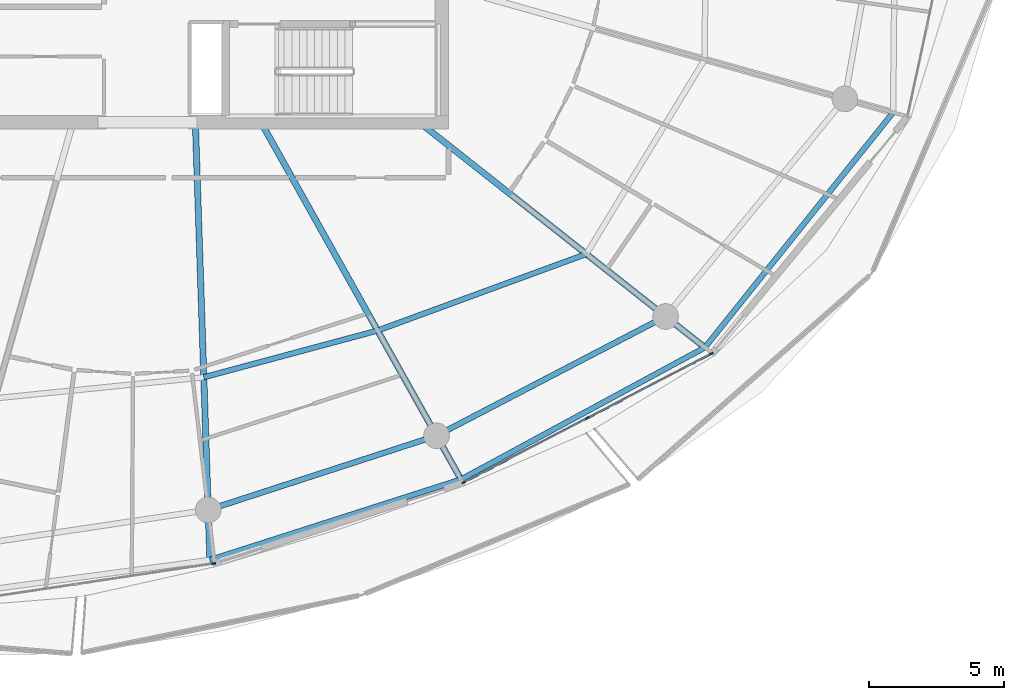
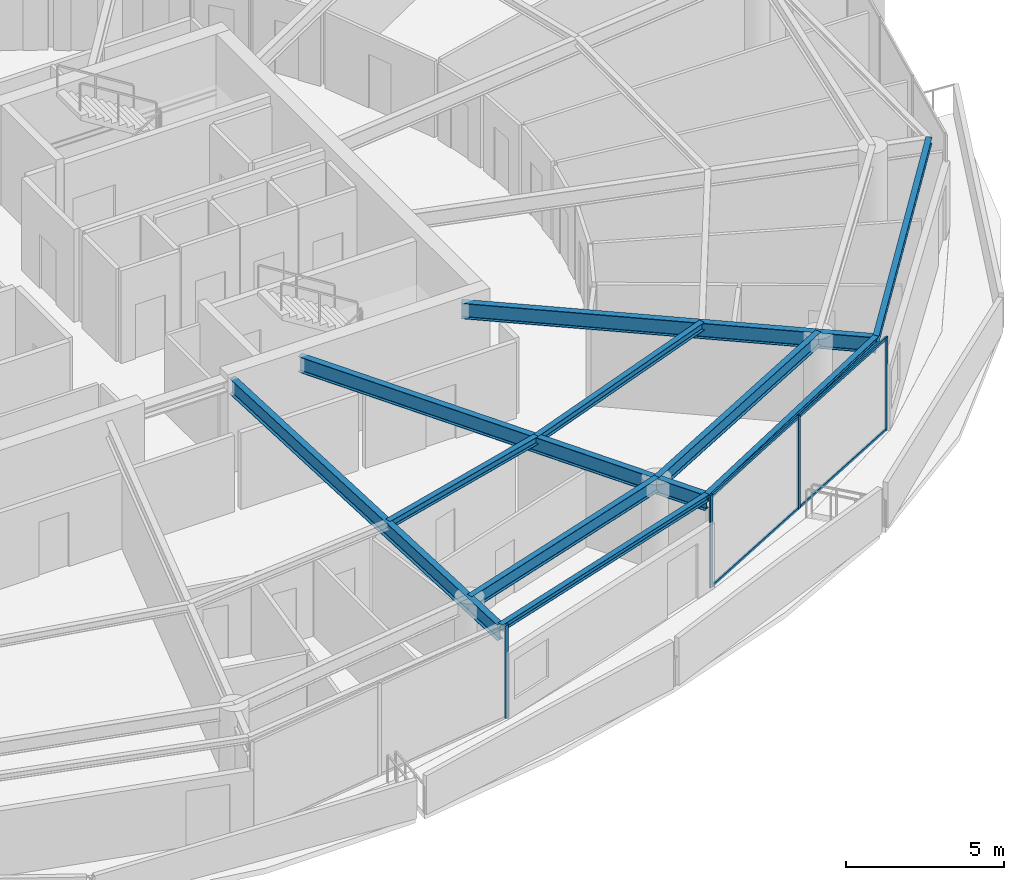
# One storey, part 9 of 30: 10 beams, 8 members, 2 elements without a shape of their own.
"""IFC4 building model written with IfcOpenShell, lengths in metres."""

from ifc_helpers import new_model, si_unit, direction, frame, origin, origin_2d, place, context, subcontext, project, spatial, rectangle, i_section, extrude, material, layer, layer_set, material_profile, profile_set, type_object, element, aggregate, save


model = new_model("IFC4")

# Units and contexts
model_context = context("Model", 3, precision=1e-05, world=origin(), true_north=direction((0.0, 1.0)))
body_context = subcontext(model_context, "Body", "Model", "MODEL_VIEW")
ifc_project = project(units=[si_unit("LENGTHUNIT", "METRE"), si_unit("AREAUNIT", "SQUARE_METRE"), si_unit("VOLUMEUNIT", "CUBIC_METRE"), si_unit("PLANEANGLEUNIT", "RADIAN"), si_unit("MASSUNIT", "GRAM", prefix="KILO")], contexts=[model_context])

# Site, building, storey
site_placement = place(None, origin())
site = spatial("IfcSite", under=ifc_project, at=site_placement, CompositionType="ELEMENT")
building_placement = place(site_placement, origin())
building = spatial("IfcBuilding", under=site, at=building_placement, Name="Kazma Halo Residences", CompositionType="ELEMENT")
storey_placement = place(building_placement, frame((0.0, 0.0, 290.60009765625)))
storey = spatial("IfcBuildingStorey", under=building, at=storey_placement, Name="L73", CompositionType="ELEMENT", Elevation=290.60009765625)

# Beams
ifc_material_1 = material(Name="Steel S355", Category="steel")
ifc_material_profile_1 = material_profile(ifc_material_1, i_section(OverallWidth=0.201904296875, OverallDepth=0.2470703125, WebThickness=0.00732421875, FlangeThickness=0.010986328125, FilletRadius=0.011962890625, at=origin_2d()), Name="W250x49.1")
ifc_profile_set_1 = profile_set([ifc_material_profile_1], Name="Steel S355")
beam_type_1 = type_object("IfcBeamType", Name="BM-BAL-CANT", PredefinedType="BEAM", material=ifc_profile_set_1)
beam_1_placement = place(storey_placement, frame((50.732666015625, 17.580078125, 3.46630859375), z_axis=(0.952222879483, 0.305403974742, 0.0), x_axis=(-0.305403974742, 0.952222879483, 0.0)))
element("IfcBeam", 1, at=beam_1_placement, inside=storey, type_object=beam_type_1, Name="L73 wave-balcony tie beam 12", PredefinedType="BEAM", context=body_context, shape_type="SweptSolid", body=[
    extrude(i_section(OverallWidth=0.201904296875, OverallDepth=0.2470703125, WebThickness=0.00732421875, FlangeThickness=0.010986328125, FilletRadius=0.011962890625, at=origin_2d()), origin(), (0.0, 0.0, 1.0), 9.742431640625),
])
beam_2_placement = place(storey_placement, frame((60.009521484375, 20.555419921875, 3.46630859375), z_axis=(0.879517282036, 0.475866946321, 0.0), x_axis=(-0.475866946321, 0.879517282036, 0.0)))
element("IfcBeam", 2, at=beam_2_placement, inside=storey, type_object=beam_type_1, Name="L73 wave-balcony tie beam 13", PredefinedType="BEAM", context=body_context, shape_type="SweptSolid", body=[
    extrude(i_section(OverallWidth=0.201904296875, OverallDepth=0.2470703125, WebThickness=0.00732421875, FlangeThickness=0.010986328125, FilletRadius=0.011962890625, at=origin_2d()), origin(), (0.0, 0.0, 1.0), 10.243408203125),
])
beam_3_placement = place(storey_placement, frame((69.018798828125, 25.429931640625, 3.46630859375), z_axis=(0.625117912406, 0.780530329705, 0.0), x_axis=(-0.780530329705, 0.625117912406, 0.0)))
element("IfcBeam", 3, at=beam_3_placement, inside=storey, type_object=beam_type_1, Name="L73 wave-balcony tie beam 14", PredefinedType="BEAM", context=body_context, shape_type="SweptSolid", body=[
    extrude(i_section(OverallWidth=0.201904296875, OverallDepth=0.2470703125, WebThickness=0.00732421875, FlangeThickness=0.010986328125, FilletRadius=0.011962890625, at=origin_2d()), origin(), (0.0, 0.0, 1.0), 11.1220703125),
])
ifc_material_profile_2 = material_profile(ifc_material_1, i_section(OverallWidth=0.22802734375, OverallDepth=0.60791015625, WebThickness=0.01123046875, FlangeThickness=0.017333984375, FilletRadius=0.01806640625, at=origin_2d()), Name="W610x113")
ifc_profile_set_2 = profile_set([ifc_material_profile_2], Name="Steel S355")
beam_type_2 = type_object("IfcBeamType", Name="BM-RAD-W610", PredefinedType="BEAM", material=ifc_profile_set_2)
beam_4_placement = place(storey_placement, frame((50.199951171875, 33.64990234375, 3.285888671875), z_axis=(0.033131810975, -0.999450990845, 0.0), x_axis=(0.999450990845, 0.033131810975, 0.0)))
element("IfcBeam", 4, at=beam_4_placement, inside=storey, type_object=beam_type_2, Name="L73 radial floor beam 12", PredefinedType="BEAM", context=body_context, shape_type="SweptSolid", body=[
    extrude(i_section(OverallWidth=0.22802734375, OverallDepth=0.60791015625, WebThickness=0.01123046875, FlangeThickness=0.017333984375, FilletRadius=0.01806640625, at=origin_2d()), origin(), (0.0, 0.0, 1.0), 16.07861328125),
])
beam_5_placement = place(storey_placement, frame((52.67626953125, 33.64990234375, 3.285888671875), z_axis=(0.488620706085, -0.872496306918, 0.0), x_axis=(0.872496306918, 0.488620706085, 0.0)))
element("IfcBeam", 5, at=beam_5_placement, inside=storey, type_object=beam_type_2, Name="L73 radial floor beam 13", PredefinedType="BEAM", context=body_context, shape_type="SweptSolid", body=[
    extrude(i_section(OverallWidth=0.22802734375, OverallDepth=0.60791015625, WebThickness=0.01123046875, FlangeThickness=0.017333984375, FilletRadius=0.01806640625, at=origin_2d()), origin(), (0.0, 0.0, 1.0), 15.008056640625),
])
beam_6_placement = place(storey_placement, frame((58.591796875, 33.64990234375, 3.285888671875), z_axis=(0.785317474283, -0.619093260007, 0.0), x_axis=(0.619093260007, 0.785317474283, 0.0)))
element("IfcBeam", 6, at=beam_6_placement, inside=storey, type_object=beam_type_2, Name="L73 radial floor beam 14", PredefinedType="BEAM", context=body_context, shape_type="SweptSolid", body=[
    extrude(i_section(OverallWidth=0.22802734375, OverallDepth=0.60791015625, WebThickness=0.01123046875, FlangeThickness=0.017333984375, FilletRadius=0.01806640625, at=origin_2d()), origin(), (0.0, 0.0, 1.0), 13.27734375),
])
ifc_material_profile_3 = material_profile(ifc_material_1, i_section(OverallWidth=0.202880859375, OverallDepth=0.302978515625, WebThickness=0.007568359375, FlangeThickness=0.01318359375, FilletRadius=0.013916015625, at=origin_2d()), Name="W310x60")
ifc_profile_set_3 = profile_set([ifc_material_profile_3], Name="Steel S355")
beam_type_3 = type_object("IfcBeamType", Name="BM-SEC-W310A", PredefinedType="JOIST", material=ifc_profile_set_3)
beam_7_placement = place(storey_placement, frame((50.509033203125, 24.32958984375, 3.4384765625), z_axis=(0.965728418457, 0.259554660493, 0.0), x_axis=(-0.259554660493, 0.965728418457, 0.0)))
element("IfcBeam", 7, at=beam_7_placement, inside=storey, type_object=beam_type_3, Name="L73 circumferential floor joist 12", PredefinedType="JOIST", context=body_context, shape_type="SweptSolid", body=[
    extrude(i_section(OverallWidth=0.202880859375, OverallDepth=0.302978515625, WebThickness=0.007568359375, FlangeThickness=0.01318359375, FilletRadius=0.013916015625, at=origin_2d()), origin(), (0.0, 0.0, 1.0), 6.648193359375),
])
beam_8_placement = place(storey_placement, frame((56.929443359375, 26.05517578125, 3.4384765625), z_axis=(0.938873433212, 0.344262510896, 0.0), x_axis=(-0.344262510896, 0.938873433212, 0.0)))
element("IfcBeam", 8, at=beam_8_placement, inside=storey, type_object=beam_type_3, Name="L73 circumferential floor joist 13", PredefinedType="JOIST", context=body_context, shape_type="SweptSolid", body=[
    extrude(i_section(OverallWidth=0.202880859375, OverallDepth=0.302978515625, WebThickness=0.007568359375, FlangeThickness=0.01318359375, FilletRadius=0.013916015625, at=origin_2d()), origin(), (0.0, 0.0, 1.0), 8.212158203125),
])
ifc_material_profile_4 = material_profile(ifc_material_1, i_section(OverallWidth=0.208984375, OverallDepth=0.532958984375, WebThickness=0.01025390625, FlangeThickness=0.015625, FilletRadius=0.01611328125, at=origin_2d()), Name="W530x92")
ifc_profile_set_4 = profile_set([ifc_material_profile_4], Name="Steel S355")
beam_type_4 = type_object("IfcBeamType", Name="BM-SPN-W530", PredefinedType="BEAM", material=ifc_profile_set_4)
beam_9_placement = place(storey_placement, frame((50.67138671875, 19.42919921875, 3.323486328125), z_axis=(0.951053893407, 0.309025066679, 0.0), x_axis=(-0.309025066679, 0.951053893407, 0.0)))
element("IfcBeam", 9, at=beam_9_placement, inside=storey, type_object=beam_type_4, Name="L73 perimeter ring beam 12", PredefinedType="BEAM", context=body_context, shape_type="SweptSolid", body=[
    extrude(i_section(OverallWidth=0.208984375, OverallDepth=0.532958984375, WebThickness=0.01025390625, FlangeThickness=0.015625, FilletRadius=0.01611328125, at=origin_2d()), origin(), (0.0, 0.0, 1.0), 8.8681640625),
])
beam_10_placement = place(storey_placement, frame((59.10546875, 22.169677734375, 3.323486328125), z_axis=(0.886961047115, 0.461844238788, 0.0), x_axis=(-0.461844238788, 0.886961047115, 0.0)))
element("IfcBeam", 10, at=beam_10_placement, inside=storey, type_object=beam_type_4, Name="L73 perimeter ring beam 13", PredefinedType="BEAM", context=body_context, shape_type="SweptSolid", body=[
    extrude(i_section(OverallWidth=0.208984375, OverallDepth=0.532958984375, WebThickness=0.01025390625, FlangeThickness=0.015625, FilletRadius=0.01611328125, at=origin_2d()), origin(), (0.0, 0.0, 1.0), 9.5390625),
])

# Curtain wall, member
ifc_material_2 = material(Name="Aluminium AW-6063 T6 and Triple-Silver Low-E Glass", Category="aluminium")
ifc_layer = layer(ifc_material_2, 0.139892578125)
ifc_layer_set = layer_set([ifc_layer], Name="Aluminium AW-6063 T6 and Triple-Silver Low-E Glass")
curtain_wall_type = type_object("IfcCurtainWallType", Name="CW-SYS-5", PredefinedType="NOTDEFINED", material=ifc_layer_set)
curtain_wall_1_placement = place(storey_placement, origin())
curtain_wall_1 = element("IfcCurtainWall", 11, at=curtain_wall_1_placement, inside=storey, type_object=curtain_wall_type, Name="L73 unitised curtain wall B11", PredefinedType="NOTDEFINED")
ifc_material_3 = material(Name="Aluminium AW-6063 T6", Category="aluminium")
ifc_material_profile_5 = material_profile(ifc_material_3, rectangle(XDim=0.06005859375, YDim=0.139892578125, at=origin_2d()), Name="CWM-60x140")
ifc_profile_set_5 = profile_set([ifc_material_profile_5], Name="Aluminium AW-6063 T6")
member_type_1 = type_object("IfcMemberType", Name="CW-SYS-5-MUL", PredefinedType="MULLION", material=ifc_profile_set_5)
member_1_placement = place(storey_placement, frame((50.875732421875, 17.447265625, 0.0), z_axis=(0.0, 0.0, 1.0), x_axis=(-0.148697080374, 0.988882792998, 0.0)))
member_1 = element("IfcMember", 12, at=member_1_placement, type_object=member_type_1, Name="CWS-5 mullion 3", PredefinedType="MULLION", context=body_context, shape_type="SweptSolid", body=[
    extrude(rectangle(XDim=0.06005859375, YDim=0.139892578125, at=origin_2d()), origin(), (0.0, 0.0, 1.0), 3.58984375),
])
aggregate(curtain_wall_1, [member_1])

# Curtain wall, members
curtain_wall_2_placement = place(storey_placement, origin())
curtain_wall_2 = element("IfcCurtainWall", 13, at=curtain_wall_2_placement, inside=storey, type_object=curtain_wall_type, Name="L73 unitised curtain wall B13", PredefinedType="NOTDEFINED")
member_2_placement = place(storey_placement, frame((60.105224609375, 20.446044921875, 0.0), z_axis=(0.0, 0.0, 1.0), x_axis=(-0.460960760804, 0.887420518694, 0.0)))
member_2 = element("IfcMember", 14, at=member_2_placement, type_object=member_type_1, Name="CWS-5 mullion 1", PredefinedType="MULLION", context=body_context, shape_type="SweptSolid", body=[
    extrude(rectangle(XDim=0.06005859375, YDim=0.139892578125, at=origin_2d()), origin(), (0.0, 0.0, 1.0), 3.58984375),
])
member_3_placement = place(storey_placement, frame((64.68408203125, 22.824462890625, 0.0), z_axis=(0.0, 0.0, 1.0), x_axis=(-0.460960760804, 0.887420518694, 0.0)))
member_3 = element("IfcMember", 15, at=member_3_placement, type_object=member_type_1, Name="CWS-5 mullion 2", PredefinedType="MULLION", context=body_context, shape_type="SweptSolid", body=[
    extrude(rectangle(XDim=0.06005859375, YDim=0.139892578125, at=origin_2d()), origin(), (0.0, 0.0, 1.0), 3.58984375),
])
member_4_placement = place(storey_placement, frame((69.262939453125, 25.202880859375, 0.0), z_axis=(0.0, 0.0, 1.0), x_axis=(-0.460960760804, 0.887420518694, 0.0)))
member_4 = element("IfcMember", 16, at=member_4_placement, type_object=member_type_1, Name="CWS-5 mullion 3", PredefinedType="MULLION", context=body_context, shape_type="SweptSolid", body=[
    extrude(rectangle(XDim=0.06005859375, YDim=0.139892578125, at=origin_2d()), origin(), (0.0, 0.0, 1.0), 3.58984375),
])
ifc_material_profile_6 = material_profile(ifc_material_3, rectangle(XDim=0.06005859375, YDim=0.10498046875, at=origin_2d()), Name="CWT-60x105")
ifc_profile_set_6 = profile_set([ifc_material_profile_6], Name="Aluminium AW-6063 T6")
member_type_2 = type_object("IfcMemberType", Name="CW-SYS-5-TRN", PredefinedType="USERDEFINED", material=ifc_profile_set_6)
member_5_placement = place(storey_placement, frame((60.1318359375, 20.4599609375, 0.02978515625), z_axis=(0.887436955863, 0.46092911534, 0.0), x_axis=(-0.46092911534, 0.887436955863, 0.0)))
member_5 = element("IfcMember", 17, at=member_5_placement, type_object=member_type_2, Name="CWS-5 transom 1.1", ObjectType="TRANSOM", PredefinedType="USERDEFINED", context=body_context, shape_type="SweptSolid", body=[
    extrude(rectangle(XDim=0.06005859375, YDim=0.10498046875, at=origin_2d()), origin(), (0.0, 0.0, 1.0), 5.099609375),
])
member_6_placement = place(storey_placement, frame((60.1318359375, 20.4599609375, 3.559814453125), z_axis=(0.887436955863, 0.46092911534, 0.0), x_axis=(-0.46092911534, 0.887436955863, 0.0)))
member_6 = element("IfcMember", 18, at=member_6_placement, type_object=member_type_2, Name="CWS-5 transom 1.2", ObjectType="TRANSOM", PredefinedType="USERDEFINED", context=body_context, shape_type="SweptSolid", body=[
    extrude(rectangle(XDim=0.06005859375, YDim=0.10498046875, at=origin_2d()), origin(), (0.0, 0.0, 1.0), 5.099609375),
])
member_7_placement = place(storey_placement, frame((64.710693359375, 22.83837890625, 0.02978515625), z_axis=(0.887436955863, 0.46092911534, 0.0), x_axis=(-0.46092911534, 0.887436955863, 0.0)))
member_7 = element("IfcMember", 19, at=member_7_placement, type_object=member_type_2, Name="CWS-5 transom 2.1", ObjectType="TRANSOM", PredefinedType="USERDEFINED", context=body_context, shape_type="SweptSolid", body=[
    extrude(rectangle(XDim=0.06005859375, YDim=0.10498046875, at=origin_2d()), origin(), (0.0, 0.0, 1.0), 5.099609375),
])
member_8_placement = place(storey_placement, frame((64.710693359375, 22.83837890625, 3.559814453125), z_axis=(0.887436955863, 0.46092911534, 0.0), x_axis=(-0.46092911534, 0.887436955863, 0.0)))
member_8 = element("IfcMember", 20, at=member_8_placement, type_object=member_type_2, Name="CWS-5 transom 2.2", ObjectType="TRANSOM", PredefinedType="USERDEFINED", context=body_context, shape_type="SweptSolid", body=[
    extrude(rectangle(XDim=0.06005859375, YDim=0.10498046875, at=origin_2d()), origin(), (0.0, 0.0, 1.0), 5.099609375),
])
aggregate(curtain_wall_2, [member_2, member_3, member_4, member_5, member_6, member_7, member_8])

save(model, "model.ifc")
